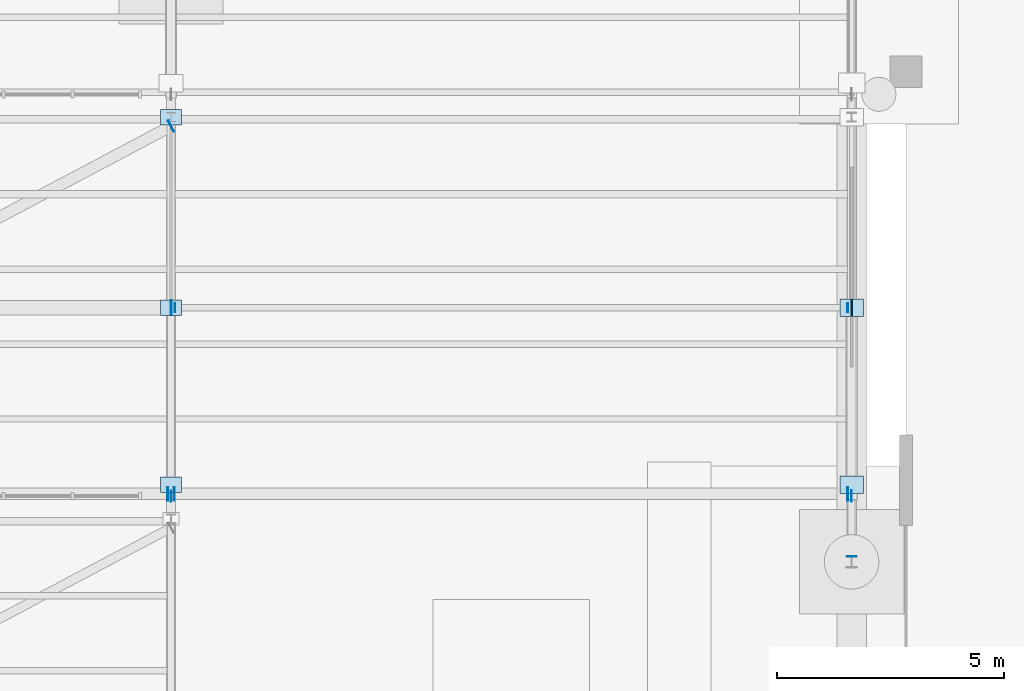
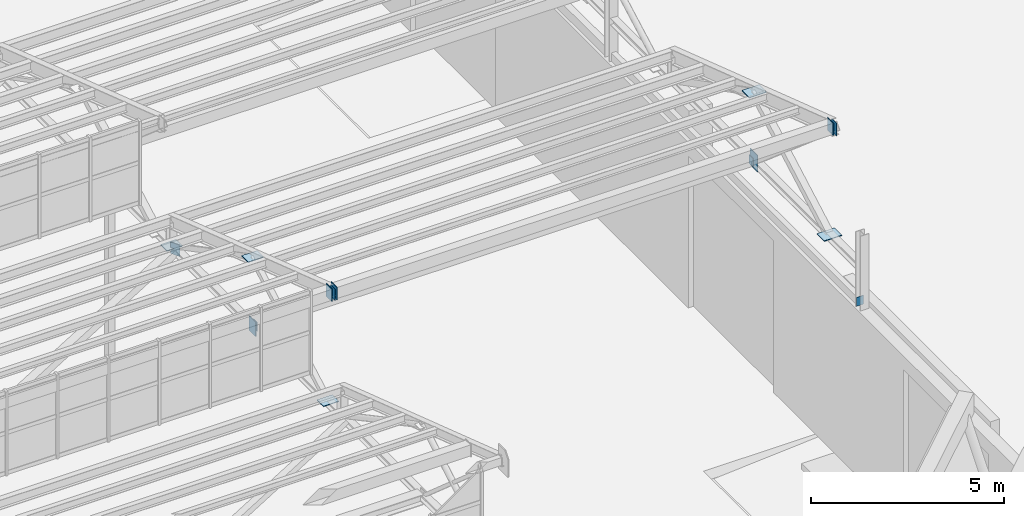
# One storey, part 227 of 285: 16 plates.
"""IFC4 building model written with IfcOpenShell, lengths in metres."""

from ifc_helpers import new_model, si_unit, direction, frame, origin, origin_2d, place, context, subcontext, project, spatial, rectangle, extrude, material, layer, layer_set, type_object, element, save


model = new_model("IFC4")

# Units and contexts
model_context = context("Model", 3, precision=1e-05, world=origin(), true_north=direction((0.0, 1.0)))
body_context = subcontext(model_context, "Body", "Model", "MODEL_VIEW")
ifc_project = project(units=[si_unit("LENGTHUNIT", "METRE"), si_unit("AREAUNIT", "SQUARE_METRE"), si_unit("VOLUMEUNIT", "CUBIC_METRE"), si_unit("PLANEANGLEUNIT", "RADIAN"), si_unit("MASSUNIT", "GRAM", prefix="KILO")], contexts=[model_context])

# Site, building, storey
site_placement = place(None, origin())
site = spatial("IfcSite", under=ifc_project, at=site_placement, CompositionType="ELEMENT")
building_placement = place(site_placement, origin())
building = spatial("IfcBuilding", under=site, at=building_placement, Name="Solanera Park Tramway Depot", CompositionType="ELEMENT")
storey_placement = place(building_placement, origin())
storey = spatial("IfcBuildingStorey", under=building, at=storey_placement, Name="L00", CompositionType="ELEMENT", Elevation=0.0)

# Plates
ifc_material_1 = material(Name="Steel AS/NZS 3679.1 Grade 350", Category="steel")
ifc_layer_1 = layer(ifc_material_1, 0.013916015625)
ifc_layer_set_1 = layer_set([ifc_layer_1], Name="Steel AS/NZS 3679.1 Grade 350")
plate_type_1 = type_object("IfcPlateType", Name="Hollow End Cap and Base Plate 280x200x14", PredefinedType="USERDEFINED", material=ifc_layer_set_1)
for number, where, z_axis, x_axis, name in (
    (1, (150.0, 72.116943359375, 5.23486328125), (0.0, 0.0, 1.0), (0.0, 1.0, 0.0), "Hollow Section Welded End Cap Plate #0070"),
    (2, (135.0849609375, 77.60009765625, 6.35986328125), (0.0, 0.0, 1.0), (1.0, 0.0, 0.0), "Hollow Section Welded End Cap Plate #0353"),
    (3, (149.9150390625, 77.60009765625, 6.35986328125), (0.0, 0.0, 1.0), (1.0, 0.0, 0.0), "Hollow Section Welded End Cap Plate #0354"),
):
    element("IfcPlate", number, at=place(storey_placement, frame(where, z_axis=z_axis, x_axis=x_axis)), inside=storey, type_object=plate_type_1, Name=name, ObjectType="BASE PLATE", PredefinedType="USERDEFINED", context=body_context, shape_type="SweptSolid", body=[
        extrude(rectangle(XDim=0.013916015625, YDim=0.199951171875, at=origin_2d()), origin(), (0.0, 0.0, 1.0), 0.280029296875),
    ])
ifc_material_2 = material(Name="Steel AS/NZS 3679.1 Grade 350", Category="steel")
ifc_layer_2 = layer(ifc_material_2, 0.01806640625)
ifc_layer_set_2 = layer_set([ifc_layer_2], Name="Steel AS/NZS 3679.1 Grade 350")
plate_type_2 = type_object("IfcPlateType", Name="Hollow End Cap and Base Plate 360x280x18", PredefinedType="USERDEFINED", material=ifc_layer_set_2)
plate_1_placement = place(storey_placement, frame((135.00244140625, 81.602294921875, 6.31982421875), z_axis=(0.0, 0.0, 1.0), x_axis=(0.883520501477, 0.468392488698, 0.0)))
element("IfcPlate", 4, at=plate_1_placement, inside=storey, type_object=plate_type_2, Name="Hollow Section Welded End Cap Plate #0352", ObjectType="BASE PLATE", PredefinedType="USERDEFINED", context=body_context, shape_type="SweptSolid", body=[
    extrude(rectangle(XDim=0.01806640625, YDim=0.280029296875, at=origin_2d()), origin(), (0.0, 0.0, 1.0), 0.360107421875),
])
ifc_material_3 = material(Name="Steel AS/NZS 3679.1 Grade 350", Category="steel")
ifc_layer_3 = layer(ifc_material_3, 0.02001953125)
ifc_layer_set_3 = layer_set([ifc_layer_3], Name="Steel AS/NZS 3679.1 Grade 350")
plate_type_3 = type_object("IfcPlateType", Name="Hollow End Cap and Base Plate 400x300x20", PredefinedType="USERDEFINED", material=ifc_layer_set_3)
for number, where, z_axis, x_axis, name in (
    (5, (134.925048828125, 73.5, 9.873291015625), (0.0, 0.0, 1.0), (1.0, 0.0, 0.0), "Hollow Section Welded End Cap Plate #0338"),
    (6, (135.074951171875, 73.5, 9.873291015625), (0.0, 0.0, 1.0), (1.0, 0.0, 0.0), "Hollow Section Welded End Cap Plate #0339"),
    (7, (149.918701171875, 73.5, 9.873291015625), (0.0, 0.0, 1.0), (1.0, 0.0, 0.0), "Hollow Section Welded End Cap Plate #0340"),
):
    element("IfcPlate", number, at=place(storey_placement, frame(where, z_axis=z_axis, x_axis=x_axis)), inside=storey, type_object=plate_type_3, Name=name, ObjectType="BASE PLATE", PredefinedType="USERDEFINED", context=body_context, shape_type="SweptSolid", body=[
        extrude(rectangle(XDim=0.02001953125, YDim=0.300048828125, at=origin_2d()), origin(), (0.0, 0.0, 1.0), 0.39990234375),
    ])
ifc_material_4 = material(Name="Steel AS/NZS 3679.1 Grade 350", Category="steel")
ifc_layer_4 = layer(ifc_material_4, 0.02197265625)
ifc_layer_set_4 = layer_set([ifc_layer_4], Name="Steel AS/NZS 3679.1 Grade 350")
plate_type_4 = type_object("IfcPlateType", Name="Hollow End Cap and Base Plate 460x340x22", PredefinedType="USERDEFINED", material=ifc_layer_set_4)
plate_2_placement = place(storey_placement, frame((135.0, 77.60009765625, 6.27001953125), z_axis=(0.0, 0.0, 1.0), x_axis=(1.0, 0.0, 0.0)))
element("IfcPlate", 8, at=plate_2_placement, inside=storey, type_object=plate_type_4, Name="Sawtooth Truss Hollow End Cap #0312", ObjectType="BASE PLATE", PredefinedType="USERDEFINED", context=body_context, shape_type="SweptSolid", body=[
    extrude(rectangle(XDim=0.02197265625, YDim=0.340087890625, at=origin_2d()), origin(), (0.0, 0.0, 1.0), 0.4599609375),
])
for number, where, z_axis, x_axis, name in (
    (9, (135.0, 81.800048828125, 6.489013671875), (0.0, 0.0, 1.0), (1.0, 0.0, 0.0), "Sawtooth Truss Node Cap Plate #0313"),
    (10, (135.0, 77.60009765625, 8.68212890625), (0.0, 0.0, 1.0), (1.0, 0.0, 0.0), "Sawtooth Truss Node Cap Plate #0314"),
    (11, (135.0, 73.699951171875, 6.489013671875), (0.0, 0.0, 1.0), (1.0, 0.0, 0.0), "Sawtooth Truss Node Cap Plate #0315"),
):
    element("IfcPlate", number, at=place(storey_placement, frame(where, z_axis=z_axis, x_axis=x_axis)), inside=storey, type_object=plate_type_4, Name=name, ObjectType="BASE PLATE", PredefinedType="USERDEFINED", context=body_context, shape_type="SweptSolid", body=[
        extrude(rectangle(XDim=0.4599609375, YDim=0.340087890625, at=origin_2d()), origin(), (0.0, 0.0, 1.0), 0.02197265625),
    ])
ifc_material_5 = material(Name="Steel AS/NZS 3679.1 Grade 350", Category="steel")
ifc_layer_5 = layer(ifc_material_5, 0.02490234375)
ifc_layer_set_5 = layer_set([ifc_layer_5], Name="Steel AS/NZS 3679.1 Grade 350")
plate_type_5 = type_object("IfcPlateType", Name="Hollow End Cap and Base Plate 520x380x25", PredefinedType="USERDEFINED", material=ifc_layer_set_5)
plate_3_placement = place(storey_placement, frame((150.0, 77.60009765625, 6.239990234375), z_axis=(0.0, 0.0, 1.0), x_axis=(1.0, 0.0, 0.0)))
element("IfcPlate", 12, at=plate_3_placement, inside=storey, type_object=plate_type_5, Name="Sawtooth Truss Hollow End Cap #0317", ObjectType="BASE PLATE", PredefinedType="USERDEFINED", context=body_context, shape_type="SweptSolid", body=[
    extrude(rectangle(XDim=0.02490234375, YDim=0.3798828125, at=origin_2d()), origin(), (0.0, 0.0, 1.0), 0.52001953125),
])
for number, where, z_axis, x_axis, name in (
    (13, (150.0, 77.60009765625, 8.655029296875), (0.0, 0.0, 1.0), (1.0, 0.0, 0.0), "Sawtooth Truss Node Cap Plate #0319"),
    (14, (150.0, 73.699951171875, 6.487548828125), (0.0, 0.0, 1.0), (1.0, 0.0, 0.0), "Sawtooth Truss Node Cap Plate #0320"),
):
    element("IfcPlate", number, at=place(storey_placement, frame(where, z_axis=z_axis, x_axis=x_axis)), inside=storey, type_object=plate_type_5, Name=name, ObjectType="BASE PLATE", PredefinedType="USERDEFINED", context=body_context, shape_type="SweptSolid", body=[
        extrude(rectangle(XDim=0.52001953125, YDim=0.3798828125, at=origin_2d()), origin(), (0.0, 0.0, 1.0), 0.02490234375),
    ])
ifc_material_6 = material(Name="Steel AS/NZS 3679.1 Grade 350", Category="steel")
ifc_layer_6 = layer(ifc_material_6, 0.013916015625)
ifc_layer_set_6 = layer_set([ifc_layer_6], Name="Steel AS/NZS 3679.1 Grade 350")
plate_type_6 = type_object("IfcPlateType", Name="Truss Node Gusset Stiffener 360x240x14", PredefinedType="SHEET", material=ifc_layer_set_6)
plate_4_placement = place(storey_placement, frame((135.0, 73.449951171875, 9.9013671875), z_axis=(0.0, 0.0, 1.0), x_axis=(1.0, 0.0, 0.0)))
element("IfcPlate", 15, at=plate_4_placement, inside=storey, type_object=plate_type_6, Name="Sawtooth Truss Apex Gusset Plate #0311", PredefinedType="SHEET", context=body_context, shape_type="SweptSolid", body=[
    extrude(rectangle(XDim=0.013916015625, YDim=0.239990234375, at=origin_2d()), origin(), (0.0, 0.0, 1.0), 0.360107421875),
])
ifc_material_7 = material(Name="Steel AS/NZS 3679.1 Grade 350", Category="steel")
ifc_layer_7 = layer(ifc_material_7, 0.01611328125)
ifc_layer_set_7 = layer_set([ifc_layer_7], Name="Steel AS/NZS 3679.1 Grade 350")
plate_type_7 = type_object("IfcPlateType", Name="Truss Node Gusset Stiffener 400x260x16", PredefinedType="SHEET", material=ifc_layer_set_7)
plate_5_placement = place(storey_placement, frame((150.0, 73.449951171875, 9.856201171875), z_axis=(0.0, 0.0, 1.0), x_axis=(1.0, 0.0, 0.0)))
element("IfcPlate", 16, at=plate_5_placement, inside=storey, type_object=plate_type_7, Name="Sawtooth Truss Apex Gusset Plate #0316", PredefinedType="SHEET", context=body_context, shape_type="SweptSolid", body=[
    extrude(rectangle(XDim=0.01611328125, YDim=0.260009765625, at=origin_2d()), origin(), (0.0, 0.0, 1.0), 0.39990234375),
])

save(model, "model.ifc")
